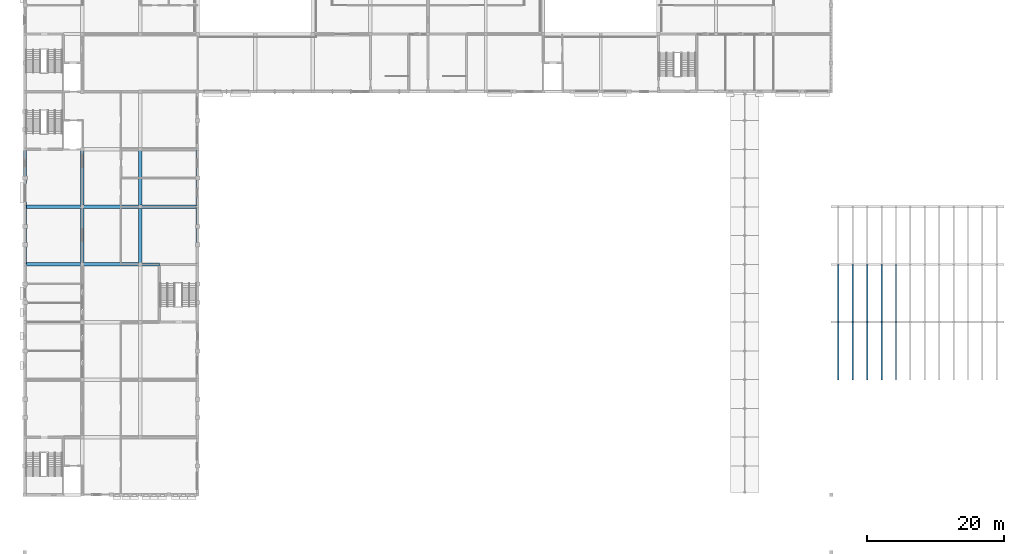
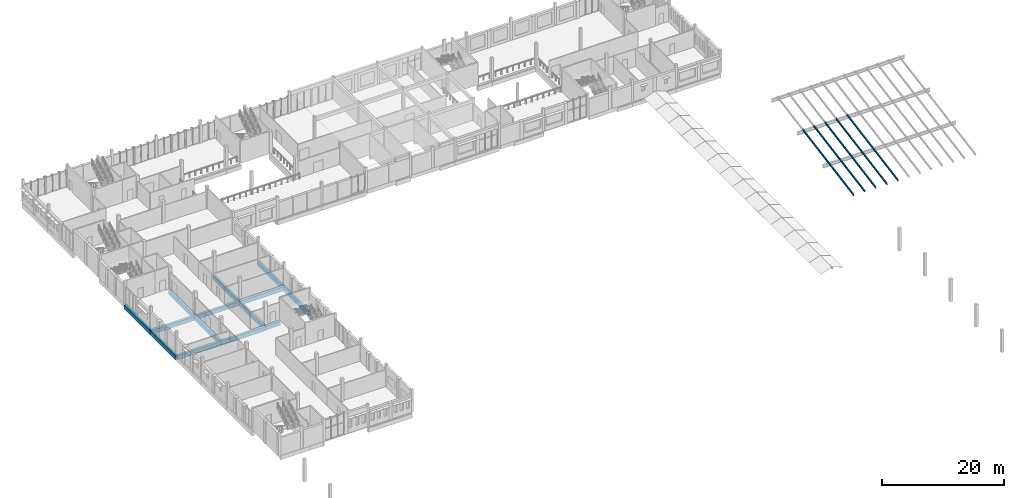
# One storey, part 5 of 38: 14 beams, 10 members.
"""IFC4 building model written with IfcOpenShell, lengths in metres."""

from ifc_helpers import new_model, si_unit, direction, frame, origin, origin_2d, place, context, subcontext, project, spatial, rectangle, i_section, extrude, material, material_profile, profile_set, type_object, element, save


model = new_model("IFC4")

# Units and contexts
model_context = context("Model", 3, precision=1e-05, world=origin(), true_north=direction((0.0, 1.0)))
body_context = subcontext(model_context, "Body", "Model", "MODEL_VIEW")
ifc_project = project(units=[si_unit("LENGTHUNIT", "METRE"), si_unit("AREAUNIT", "SQUARE_METRE"), si_unit("VOLUMEUNIT", "CUBIC_METRE"), si_unit("PLANEANGLEUNIT", "RADIAN"), si_unit("MASSUNIT", "GRAM", prefix="KILO")], contexts=[model_context])

# Site, building, storey
site_placement = place(None, origin())
site = spatial("IfcSite", under=ifc_project, at=site_placement, CompositionType="ELEMENT")
building_placement = place(site_placement, origin())
building = spatial("IfcBuilding", under=site, at=building_placement, Name="Fescue Hill Polytechnic", CompositionType="ELEMENT")
storey_placement = place(building_placement, frame((0.0, 0.0, 18.0)))
storey = spatial("IfcBuildingStorey", under=building, at=storey_placement, Name="L04", CompositionType="ELEMENT", Elevation=18.0)

# Beams
ifc_material_1 = material(Name="Concrete 35 MPa", Category="concrete")
ifc_material_profile_1 = material_profile(ifc_material_1, rectangle(XDim=0.449951171875, YDim=0.699951171875, at=origin_2d()), Name="RC 450x700")
ifc_profile_set_1 = profile_set([ifc_material_profile_1], Name="Concrete 35 MPa")
beam_type_1 = type_object("IfcBeamType", Name="Beam RC 450x700", PredefinedType="BEAM", material=ifc_profile_set_1)
beam_1_placement = place(storey_placement, frame((16.81005859375, 84.0, -0.64990234375), z_axis=(1.0, 0.0, 0.0), x_axis=(0.0, 1.0, 0.0)))
element("IfcBeam", 1, at=beam_1_placement, inside=storey, type_object=beam_type_1, Name="BM-L04-0046", PredefinedType="BEAM", context=body_context, shape_type="SweptSolid", body=[
    extrude(rectangle(XDim=0.449951171875, YDim=0.699951171875, at=origin_2d()), origin(), (0.0, 0.0, 1.0), 2.7900390625),
])
ifc_material_profile_2 = material_profile(ifc_material_1, rectangle(XDim=0.449951171875, YDim=0.85009765625, at=origin_2d()), Name="RC 450x850")
ifc_profile_set_2 = profile_set([ifc_material_profile_2], Name="Concrete 35 MPa")
beam_type_2 = type_object("IfcBeamType", Name="Beam RC 450x850", PredefinedType="BEAM", material=ifc_profile_set_2)
beam_2_placement = place(storey_placement, frame((0.0, 84.0, -0.72509765625), z_axis=(0.0, 1.0, 0.0), x_axis=(-1.0, 0.0, 0.0)))
element("IfcBeam", 2, at=beam_2_placement, inside=storey, type_object=beam_type_2, Name="BM-L04-0004", PredefinedType="BEAM", context=body_context, shape_type="SweptSolid", body=[
    extrude(rectangle(XDim=0.449951171875, YDim=0.85009765625, at=origin_2d()), origin(), (0.0, 0.0, 1.0), 8.39990234375),
])
beam_3_placement = place(storey_placement, frame((0.0, 92.39990234375, -0.72509765625), z_axis=(0.0, 1.0, 0.0), x_axis=(-1.0, 0.0, 0.0)))
element("IfcBeam", 3, at=beam_3_placement, inside=storey, type_object=beam_type_2, Name="BM-L04-0005", PredefinedType="BEAM", context=body_context, shape_type="SweptSolid", body=[
    extrude(rectangle(XDim=0.449951171875, YDim=0.85009765625, at=origin_2d()), origin(), (0.0, 0.0, 1.0), 8.400146484375),
])
beam_4_placement = place(storey_placement, frame((25.199951171875, 84.0, -0.72509765625), z_axis=(0.0, 1.0, 0.0), x_axis=(-1.0, 0.0, 0.0)))
element("IfcBeam", 4, at=beam_4_placement, inside=storey, type_object=beam_type_2, Name="BM-L04-0053", PredefinedType="BEAM", context=body_context, shape_type="SweptSolid", body=[
    extrude(rectangle(XDim=0.449951171875, YDim=0.85009765625, at=origin_2d()), origin(), (0.0, 0.0, 1.0), 8.39990234375),
])
beam_5_placement = place(storey_placement, frame((25.199951171875, 92.39990234375, -0.72509765625), z_axis=(0.0, 1.0, 0.0), x_axis=(-1.0, 0.0, 0.0)))
element("IfcBeam", 5, at=beam_5_placement, inside=storey, type_object=beam_type_2, Name="BM-L04-0054", PredefinedType="BEAM", context=body_context, shape_type="SweptSolid", body=[
    extrude(rectangle(XDim=0.449951171875, YDim=0.85009765625, at=origin_2d()), origin(), (0.0, 0.0, 1.0), 8.400146484375),
])
ifc_material_profile_3 = material_profile(ifc_material_1, rectangle(XDim=0.5, YDim=0.800048828125, at=origin_2d()), Name="RC 500x800")
ifc_profile_set_3 = profile_set([ifc_material_profile_3], Name="Concrete 35 MPa")
beam_type_3 = type_object("IfcBeamType", Name="Beam RC 500x800", PredefinedType="BEAM", material=ifc_profile_set_3)
for number, where, z_axis, x_axis, name in (
    (6, (0.010009765625, 84.0, -0.699951171875), (1.0, 0.0, 0.0), (0.0, 1.0, 0.0), "BM-L04-0010"),
    (7, (0.010009765625, 92.39990234375, -0.699951171875), (1.0, 0.0, 0.0), (0.0, 1.0, 0.0), "BM-L04-0011"),
):
    element("IfcBeam", number, at=place(storey_placement, frame(where, z_axis=z_axis, x_axis=x_axis)), inside=storey, type_object=beam_type_3, Name=name, PredefinedType="BEAM", context=body_context, shape_type="SweptSolid", body=[
        extrude(rectangle(XDim=0.5, YDim=0.800048828125, at=origin_2d()), origin(), (0.0, 0.0, 1.0), 8.3798828125),
    ])
beam_6_placement = place(storey_placement, frame((8.39990234375, 84.0, -0.699951171875), z_axis=(0.0, 1.0, 0.0), x_axis=(-1.0, 0.0, 0.0)))
element("IfcBeam", 8, at=beam_6_placement, inside=storey, type_object=beam_type_3, Name="BM-L04-0020", PredefinedType="BEAM", context=body_context, shape_type="SweptSolid", body=[
    extrude(rectangle(XDim=0.5, YDim=0.800048828125, at=origin_2d()), origin(), (0.0, 0.0, 1.0), 8.39990234375),
])
beam_7_placement = place(storey_placement, frame((8.39990234375, 92.39990234375, -0.699951171875), z_axis=(0.0, 1.0, 0.0), x_axis=(-1.0, 0.0, 0.0)))
element("IfcBeam", 9, at=beam_7_placement, inside=storey, type_object=beam_type_3, Name="BM-L04-0021", PredefinedType="BEAM", context=body_context, shape_type="SweptSolid", body=[
    extrude(rectangle(XDim=0.5, YDim=0.800048828125, at=origin_2d()), origin(), (0.0, 0.0, 1.0), 8.400146484375),
])
for number, where, z_axis, x_axis, name in (
    (10, (8.409912109375, 84.0, -0.699951171875), (1.0, 0.0, 0.0), (0.0, 1.0, 0.0), "BM-L04-0027"),
    (11, (8.409912109375, 92.39990234375, -0.699951171875), (1.0, 0.0, 0.0), (0.0, 1.0, 0.0), "BM-L04-0028"),
):
    element("IfcBeam", number, at=place(storey_placement, frame(where, z_axis=z_axis, x_axis=x_axis)), inside=storey, type_object=beam_type_3, Name=name, PredefinedType="BEAM", context=body_context, shape_type="SweptSolid", body=[
        extrude(rectangle(XDim=0.5, YDim=0.800048828125, at=origin_2d()), origin(), (0.0, 0.0, 1.0), 8.380126953125),
    ])
beam_8_placement = place(storey_placement, frame((16.800048828125, 84.0, -0.699951171875), z_axis=(0.0, 1.0, 0.0), x_axis=(-1.0, 0.0, 0.0)))
element("IfcBeam", 12, at=beam_8_placement, inside=storey, type_object=beam_type_3, Name="BM-L04-0036", PredefinedType="BEAM", context=body_context, shape_type="SweptSolid", body=[
    extrude(rectangle(XDim=0.5, YDim=0.800048828125, at=origin_2d()), origin(), (0.0, 0.0, 1.0), 8.39990234375),
])
beam_9_placement = place(storey_placement, frame((16.800048828125, 92.39990234375, -0.699951171875), z_axis=(0.0, 1.0, 0.0), x_axis=(-1.0, 0.0, 0.0)))
element("IfcBeam", 13, at=beam_9_placement, inside=storey, type_object=beam_type_3, Name="BM-L04-0037", PredefinedType="BEAM", context=body_context, shape_type="SweptSolid", body=[
    extrude(rectangle(XDim=0.5, YDim=0.800048828125, at=origin_2d()), origin(), (0.0, 0.0, 1.0), 8.400146484375),
])
beam_10_placement = place(storey_placement, frame((16.81005859375, 92.39990234375, -0.699951171875), z_axis=(1.0, 0.0, 0.0), x_axis=(0.0, 1.0, 0.0)))
element("IfcBeam", 14, at=beam_10_placement, inside=storey, type_object=beam_type_3, Name="BM-L04-0047", PredefinedType="BEAM", context=body_context, shape_type="SweptSolid", body=[
    extrude(rectangle(XDim=0.5, YDim=0.800048828125, at=origin_2d()), origin(), (0.0, 0.0, 1.0), 8.3798828125),
])

# Members
ifc_material_2 = material(Name="Steel 350W (350 MPa)", Category="steel")
ifc_material_profile_4 = material_profile(ifc_material_2, i_section(OverallWidth=0.202880859375, OverallDepth=0.302978515625, WebThickness=0.007568359375, FlangeThickness=0.01318359375, FilletRadius=0.02001953125, at=origin_2d()), Name="W310x60")
ifc_profile_set_4 = profile_set([ifc_material_profile_4], Name="Steel 350W (350 MPa)")
member_type = type_object("IfcMemberType", Name="Lecture roof purlin W310x60", PredefinedType="PURLIN", material=ifc_profile_set_4)
for number, where, z_axis, x_axis, name in (
    (15, (118.64990234375, 67.199951171875, 0.414794921875), (0.0, 0.984428105997, 0.17578766772), (-1.0, 0.0, 0.0), "Lecture roof purlin 1 bay 2"),
    (16, (120.75, 67.199951171875, 0.414794921875), (0.0, 0.984428105997, 0.17578766772), (-1.0, 0.0, 0.0), "Lecture roof purlin 2 bay 2"),
    (17, (122.85009765625, 67.199951171875, 0.414794921875), (0.0, 0.984428105997, 0.17578766772), (-1.0, 0.0, 0.0), "Lecture roof purlin 3 bay 2"),
    (18, (124.949951171875, 67.199951171875, 0.414794921875), (0.0, 0.984428105997, 0.17578766772), (-1.0, 0.0, 0.0), "Lecture roof purlin 4 bay 2"),
    (19, (127.050048828125, 67.199951171875, 0.414794921875), (0.0, 0.984428105997, 0.17578766772), (-1.0, 0.0, 0.0), "Lecture roof purlin 5 bay 2"),
):
    element("IfcMember", number, at=place(storey_placement, frame(where, z_axis=z_axis, x_axis=x_axis)), inside=storey, type_object=member_type, Name=name, PredefinedType="PURLIN", context=body_context, shape_type="SweptSolid", body=[
        extrude(i_section(OverallWidth=0.202880859375, OverallDepth=0.302978515625, WebThickness=0.007568359375, FlangeThickness=0.01318359375, FilletRadius=0.02001953125, at=origin_2d()), origin(), (0.0, 0.0, 1.0), 8.532958984375),
    ])
for number, where, z_axis, x_axis, name in (
    (20, (118.64990234375, 75.60009765625, 1.914794921875), (0.0, 0.984427221834, 0.175792619048), (-1.0, 0.0, 0.0), "Lecture roof purlin 1 bay 3"),
    (21, (120.75, 75.60009765625, 1.914794921875), (0.0, 0.984427221834, 0.175792619048), (-1.0, 0.0, 0.0), "Lecture roof purlin 2 bay 3"),
    (22, (122.85009765625, 75.60009765625, 1.914794921875), (0.0, 0.984427221834, 0.175792619048), (-1.0, 0.0, 0.0), "Lecture roof purlin 3 bay 3"),
    (23, (124.949951171875, 75.60009765625, 1.914794921875), (0.0, 0.984427221834, 0.175792619048), (-1.0, 0.0, 0.0), "Lecture roof purlin 4 bay 3"),
    (24, (127.050048828125, 75.60009765625, 1.914794921875), (0.0, 0.984427221834, 0.175792619048), (-1.0, 0.0, 0.0), "Lecture roof purlin 5 bay 3"),
):
    element("IfcMember", number, at=place(storey_placement, frame(where, z_axis=z_axis, x_axis=x_axis)), inside=storey, type_object=member_type, Name=name, PredefinedType="PURLIN", context=body_context, shape_type="SweptSolid", body=[
        extrude(i_section(OverallWidth=0.202880859375, OverallDepth=0.302978515625, WebThickness=0.007568359375, FlangeThickness=0.01318359375, FilletRadius=0.02001953125, at=origin_2d()), origin(), (0.0, 0.0, 1.0), 8.53271484375),
    ])

save(model, "model.ifc")
